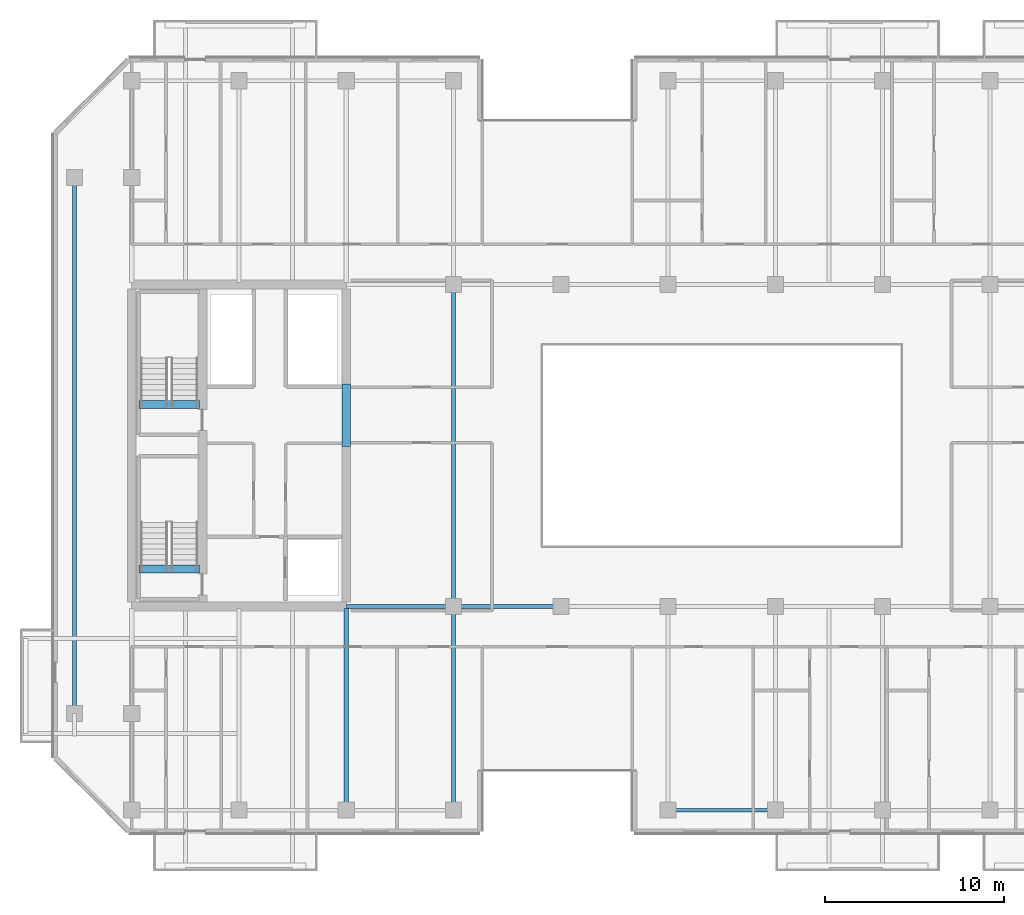
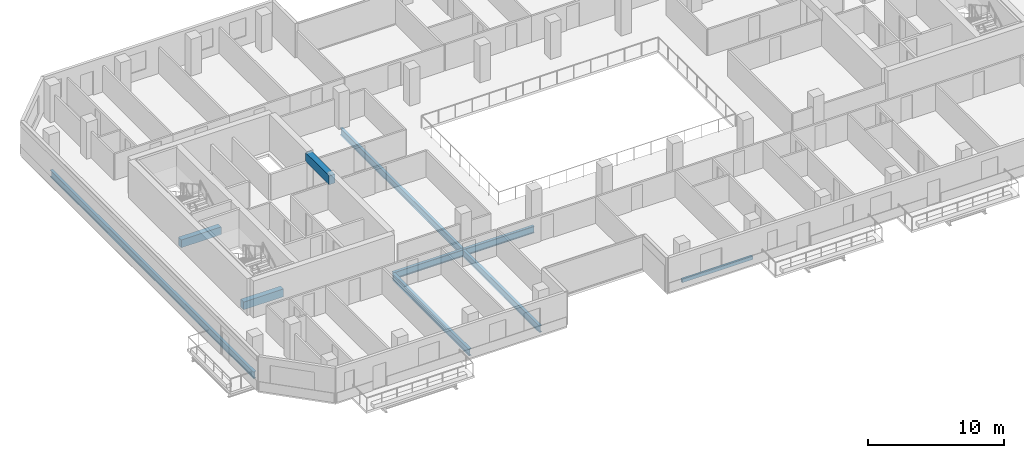
# One storey, part 3 of 19: 10 beams.
"""IFC4 building model written with IfcOpenShell, lengths in metres."""

from ifc_helpers import new_model, si_unit, direction, frame, origin, origin_2d, place, context, subcontext, project, spatial, rectangle, hollow_rectangle, i_section, extrude, material, material_profile, profile_set, type_object, element, save


model = new_model("IFC4")

# Units and contexts
model_context = context("Model", 3, precision=1e-05, world=origin(), true_north=direction((0.0, 1.0)))
body_context = subcontext(model_context, "Body", "Model", "MODEL_VIEW")
ifc_project = project(units=[si_unit("LENGTHUNIT", "METRE"), si_unit("AREAUNIT", "SQUARE_METRE"), si_unit("VOLUMEUNIT", "CUBIC_METRE"), si_unit("PLANEANGLEUNIT", "RADIAN"), si_unit("MASSUNIT", "GRAM", prefix="KILO")], contexts=[model_context])

# Site, building, storey
site_placement = place(None, origin())
site = spatial("IfcSite", under=ifc_project, at=site_placement, CompositionType="ELEMENT")
building_placement = place(site_placement, origin())
building = spatial("IfcBuilding", under=site, at=building_placement, Name="Tanjung Sevakor Pilgrim Tower", CompositionType="ELEMENT")
storey_placement = place(building_placement, frame((0.0, 0.0, 132.0)))
storey = spatial("IfcBuildingStorey", under=building, at=storey_placement, Name="L36", CompositionType="ELEMENT", Elevation=132.0)

# Beams
ifc_material_1 = material(Name="Steel S355J2", Category="steel")
ifc_material_profile_1 = material_profile(ifc_material_1, i_section(OverallWidth=0.230224609375, OverallDepth=0.6171875, WebThickness=0.01318359375, FlangeThickness=0.022216796875, FilletRadius=0.0126953125, at=origin_2d()))
ifc_profile_set_1 = profile_set([ifc_material_profile_1], Name="Steel S355J2")
beam_type_1 = type_object("IfcBeamType", Name="BM-B-G3-UB_610x229x140", PredefinedType="BEAM", material=ifc_profile_set_1)
for number, where, z_axis, x_axis, name in (
    (1, (36.0, 24.60009765625, -0.528564453125), (1.0, 0.0, 0.0), (0.0, 1.0, 0.0), "L36 Primary Floor Girder MAIN Y246-01"),
    (2, (42.0, 24.60009765625, -0.528564453125), (1.0, 0.0, 0.0), (0.0, 1.0, 0.0), "L36 Primary Floor Girder MAIN Y246-02"),
):
    element("IfcBeam", number, at=place(storey_placement, frame(where, z_axis=z_axis, x_axis=x_axis)), inside=storey, type_object=beam_type_1, Name=name, PredefinedType="BEAM", context=body_context, shape_type="SweptSolid", body=[
        extrude(i_section(OverallWidth=0.230224609375, OverallDepth=0.6171875, WebThickness=0.01318359375, FlangeThickness=0.022216796875, FilletRadius=0.0126953125, at=origin_2d()), origin(), (0.0, 0.0, 1.0), 6.0),
    ])
ifc_material_2 = material(Name="Steel S355J2", Category="steel")
ifc_material_profile_2 = material_profile(ifc_material_2, i_section(OverallWidth=0.22900390625, OverallDepth=0.6123046875, WebThickness=0.011962890625, FlangeThickness=0.01953125, FilletRadius=0.0126953125, at=origin_2d()))
ifc_profile_set_2 = profile_set([ifc_material_profile_2], Name="Steel S355J2")
beam_type_2 = type_object("IfcBeamType", Name="BM-B-G4-UB_610x229x125", PredefinedType="BEAM", material=ifc_profile_set_2)
beam_1_placement = place(storey_placement, frame((20.800048828125, 18.60009765625, -0.526123046875), z_axis=(0.0, 1.0, 0.0), x_axis=(-1.0, 0.0, 0.0)))
element("IfcBeam", 3, at=beam_1_placement, inside=storey, type_object=beam_type_2, Name="L36 Short-End Edge Girder W", PredefinedType="BEAM", context=body_context, shape_type="SweptSolid", body=[
    extrude(i_section(OverallWidth=0.22900390625, OverallDepth=0.6123046875, WebThickness=0.011962890625, FlangeThickness=0.01953125, FilletRadius=0.0126953125, at=origin_2d()), origin(), (0.0, 0.0, 1.0), 30.0),
])
beam_2_placement = place(storey_placement, frame((36.0, 13.199951171875, -0.526123046875), z_axis=(0.0, 1.0, 0.0), x_axis=(-1.0, 0.0, 0.0)))
element("IfcBeam", 4, at=beam_2_placement, inside=storey, type_object=beam_type_2, Name="L36 MAIN Girder 005", PredefinedType="BEAM", context=body_context, shape_type="SweptSolid", body=[
    extrude(i_section(OverallWidth=0.22900390625, OverallDepth=0.6123046875, WebThickness=0.011962890625, FlangeThickness=0.01953125, FilletRadius=0.0126953125, at=origin_2d()), origin(), (0.0, 0.0, 1.0), 11.284912109375),
])
beam_3_placement = place(storey_placement, frame((42.0, 13.199951171875, -0.526123046875), z_axis=(0.0, 1.0, 0.0), x_axis=(-1.0, 0.0, 0.0)))
element("IfcBeam", 5, at=beam_3_placement, inside=storey, type_object=beam_type_2, Name="L36 MAIN Girder 007", PredefinedType="BEAM", context=body_context, shape_type="SweptSolid", body=[
    extrude(i_section(OverallWidth=0.22900390625, OverallDepth=0.6123046875, WebThickness=0.011962890625, FlangeThickness=0.01953125, FilletRadius=0.0126953125, at=origin_2d()), origin(), (0.0, 0.0, 1.0), 11.400146484375),
])
beam_4_placement = place(storey_placement, frame((42.0, 24.60009765625, -0.526123046875), z_axis=(0.0, 1.0, 0.0), x_axis=(-1.0, 0.0, 0.0)))
element("IfcBeam", 6, at=beam_4_placement, inside=storey, type_object=beam_type_2, Name="L36 MAIN Girder 008", PredefinedType="BEAM", context=body_context, shape_type="SweptSolid", body=[
    extrude(i_section(OverallWidth=0.22900390625, OverallDepth=0.6123046875, WebThickness=0.011962890625, FlangeThickness=0.01953125, FilletRadius=0.0126953125, at=origin_2d()), origin(), (0.0, 0.0, 1.0), 18.0),
])
ifc_material_3 = material(Name="Concrete C60/75", Category="concrete")
ifc_material_profile_3 = material_profile(ifc_material_3, rectangle(XDim=0.5, YDim=0.800048828125, at=origin_2d()))
ifc_profile_set_3 = profile_set([ifc_material_profile_3], Name="Concrete C60/75")
beam_type_3 = type_object("IfcBeamType", Name="BM-B-LN2-RC-BM_500x800", PredefinedType="LINTEL", material=ifc_profile_set_3)
beam_5_placement = place(storey_placement, frame((36.0, 33.550048828125, 2.679931640625), z_axis=(0.0, 1.0, 0.0), x_axis=(-1.0, 0.0, 0.0)))
element("IfcBeam", 7, at=beam_5_placement, inside=storey, type_object=beam_type_3, Name="L36 W Core Coupling Lintel", PredefinedType="LINTEL", context=body_context, shape_type="SweptSolid", body=[
    extrude(rectangle(XDim=0.5, YDim=0.800048828125, at=origin_2d()), origin(), (0.0, 0.0, 1.0), 3.5),
])
ifc_material_4 = material(Name="Concrete C60/75", Category="concrete")
ifc_material_profile_4 = material_profile(ifc_material_4, rectangle(XDim=0.449951171875, YDim=0.699951171875, at=origin_2d()))
ifc_profile_set_4 = profile_set([ifc_material_profile_4], Name="Concrete C60/75")
beam_type_4 = type_object("IfcBeamType", Name="BM-B-LN3-RC-BM_450x700", PredefinedType="LINTEL", material=ifc_profile_set_4)
for number, where, z_axis, x_axis, name in (
    (8, (24.39990234375, 26.699951171875, -0.35009765625), (1.0, 0.0, 0.0), (0.0, 1.0, 0.0), "L36 TS-W1 Stair Threshold Beam"),
    (9, (24.39990234375, 35.89990234375, -0.35009765625), (1.0, 0.0, 0.0), (0.0, 1.0, 0.0), "L36 TS-W2 Stair Threshold Beam"),
):
    element("IfcBeam", number, at=place(storey_placement, frame(where, z_axis=z_axis, x_axis=x_axis)), inside=storey, type_object=beam_type_4, Name=name, PredefinedType="LINTEL", context=body_context, shape_type="SweptSolid", body=[
        extrude(rectangle(XDim=0.449951171875, YDim=0.699951171875, at=origin_2d()), origin(), (0.0, 0.0, 1.0), 3.400146484375),
    ])
ifc_material_5 = material(Name="Steel S355J2", Category="steel")
ifc_material_profile_5 = material_profile(ifc_material_5, hollow_rectangle(XDim=0.199951171875, YDim=0.300048828125, WallThickness=0.012451171875, at=origin_2d()))
ifc_profile_set_5 = profile_set([ifc_material_profile_5], Name="Steel S355J2")
beam_type_5 = type_object("IfcBeamType", Name="BM-B-SP3-RHS_300x200x12.5", PredefinedType="SPANDREL", material=ifc_profile_set_5)
beam_6_placement = place(storey_placement, frame((54.0, 13.199951171875, -0.3701171875), z_axis=(1.0, 0.0, 0.0), x_axis=(0.0, 1.0, 0.0)))
element("IfcBeam", 10, at=beam_6_placement, inside=storey, type_object=beam_type_5, Name="L36 Spandrel MAIN S-07", PredefinedType="SPANDREL", context=body_context, shape_type="SweptSolid", body=[
    extrude(hollow_rectangle(XDim=0.199951171875, YDim=0.300048828125, WallThickness=0.012451171875, at=origin_2d()), origin(), (0.0, 0.0, 1.0), 6.0),
])

save(model, "model.ifc")
